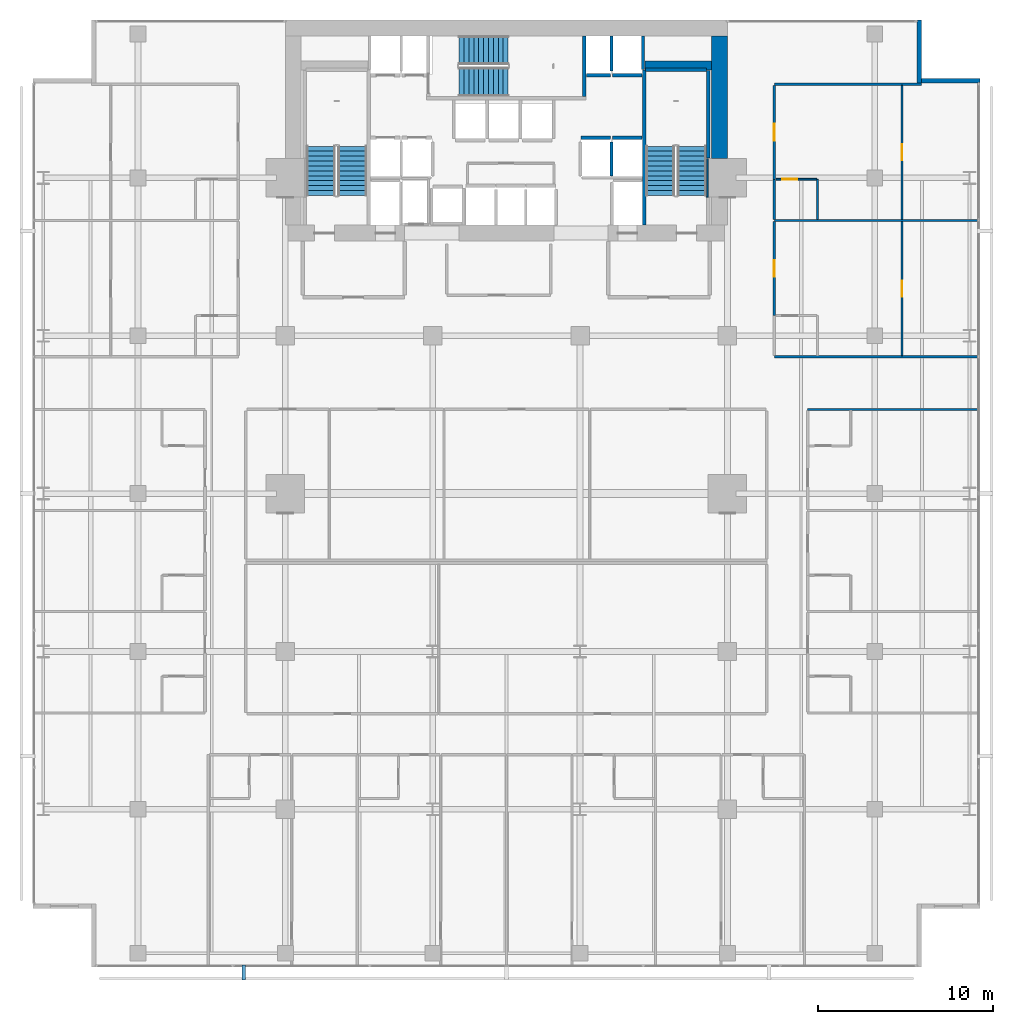
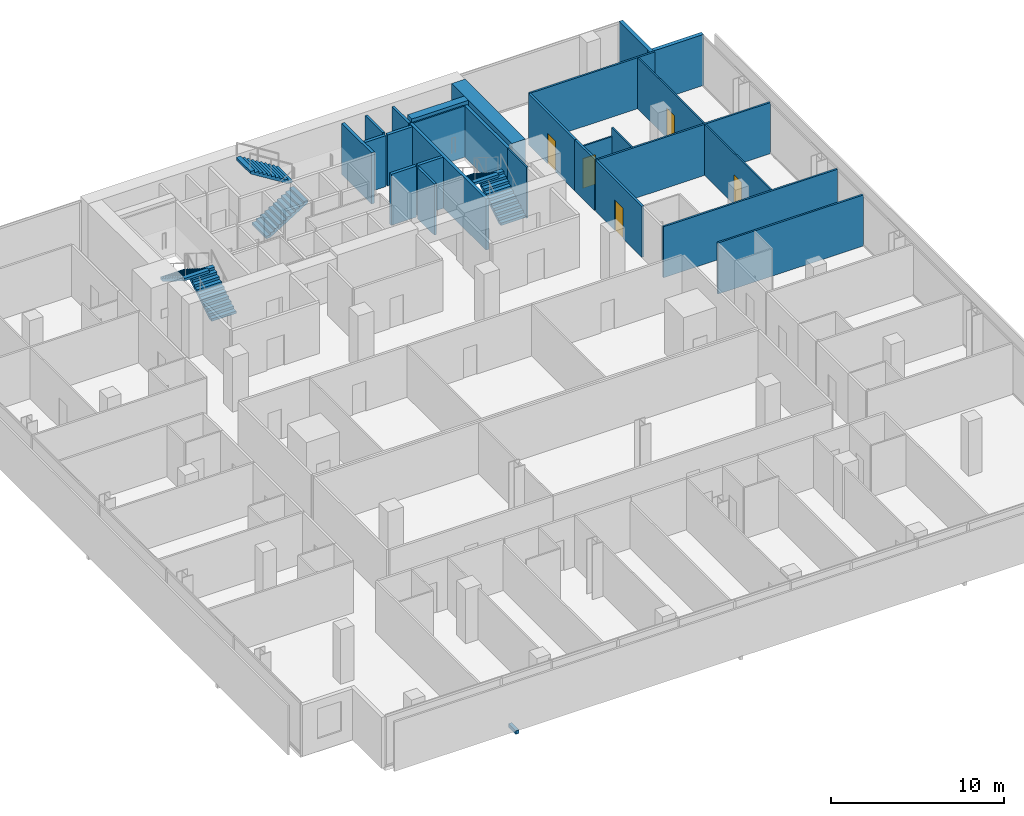
# One storey, part 37 of 40: 27 walls, 6 stair flights, 5 doors, 1 discrete accessory, 5 openings, 3 elements without a shape of their own.
"""IFC4 building model written with IfcOpenShell, lengths in metres."""

from ifc_helpers import new_model, si_unit, direction, frame, frame_2d, origin, origin_2d, place, context, subcontext, project, spatial, polyline, rectangle, outline, extrude, material, layer, layer_set, type_object, element, fill, aggregate, save


model = new_model("IFC4")

# Units and contexts
model_context = context("Model", 3, precision=1e-05, world=origin(), true_north=direction((0.0, 1.0)))
body_context = subcontext(model_context, "Body", "Model", "MODEL_VIEW")
ifc_project = project(units=[si_unit("LENGTHUNIT", "METRE"), si_unit("AREAUNIT", "SQUARE_METRE"), si_unit("VOLUMEUNIT", "CUBIC_METRE"), si_unit("PLANEANGLEUNIT", "RADIAN"), si_unit("MASSUNIT", "GRAM", prefix="KILO")], contexts=[model_context])

# Site, building, storey
site_placement = place(None, origin())
site = spatial("IfcSite", under=ifc_project, at=site_placement, CompositionType="ELEMENT")
building_placement = place(site_placement, origin())
building = spatial("IfcBuilding", under=site, at=building_placement, Name="Maruvema Waterfront Hotel and Observation Tower", CompositionType="ELEMENT")
storey_placement = place(building_placement, frame((0.0, 0.0, 88.550048828125)))
storey = spatial("IfcBuildingStorey", under=building, at=storey_placement, Name="L21", CompositionType="ELEMENT", Elevation=88.550048828125)

# Wall, opening, door
ifc_material_1 = material(Name="Twin-stud acoustic gypsum drywall", Category="gypsum")
ifc_layer_1 = layer(ifc_material_1, 0.14990234375, Name="Acoustic Corridor and Suite Demising Wall 150 mm")
ifc_layer_set_1 = layer_set([ifc_layer_1], Name="Twin-stud acoustic gypsum drywall")
wall_type_1 = type_object("IfcWallType", Name="Acoustic Corridor and Suite Demising Wall 150 mm", PredefinedType="PARTITIONING", material=ifc_layer_set_1)
wall_1_placement = place(storey_placement, frame((53.080078125, 37.14990234375, 0.0), z_axis=(0.0, 0.0, 1.0), x_axis=(0.0, 1.0, 0.0)))
wall_1 = element("IfcWall", 1, at=wall_1_placement, inside=storey, type_object=wall_type_1, Name="L21 Room L21-NE1 Corridor Wall 103", PredefinedType="PARTITIONING", context=body_context, shape_type="SweptSolid", body=[
    extrude(rectangle(XDim=5.35888671875, YDim=0.14990234375, at=frame_2d((2.679443359375, 0.0))), origin(), (0.0, 0.0, 1.0), 3.60986328125),
])
opening_1_placement = place(wall_1_placement, frame((2.204345703125, 0.0, 0.0)))
opening_1 = element("IfcOpeningElement", 2, at=opening_1_placement, cuts=wall_1, Name="Opening DR-095", PredefinedType="OPENING", context=body_context, shape_type="SweptSolid", body=[
    extrude(rectangle(XDim=0.949951171875, YDim=2.14990234375, at=frame_2d((0.47509765625, 1.074951171875))), frame((0.0, 0.0849609375, 0.0), z_axis=(0.0, -1.0, 0.0), x_axis=(1.0, 0.0, 0.0)), (0.0, 0.0, 1.0), 0.169921875),
])
ifc_material_2 = material(Name="Acoustic solid-core hardwood timber leaf", Category="wood")
door_type_1 = type_object("IfcDoorType", Name="Guestroom Entrance Fire Door 950x2150 mm", OperationType="NOTDEFINED", PredefinedType="DOOR", material=ifc_material_2)
door_1_placement = place(opening_1_placement, frame((0.949951171875, 0.0, 0.0), z_axis=(0.0, 0.0, 1.0), x_axis=(-1.0, 0.0, 0.0)))
door_1 = element("IfcDoor", 3, at=door_1_placement, inside=storey, type_object=door_type_1, Name="L21 Room L21-NE1 Entrance Door", OperationType="SINGLE_SWING_LEFT", OverallHeight=2.14990234375, OverallWidth=0.949951171875, PredefinedType="DOOR", context=body_context, shape_type="SweptSolid", body=[
    extrude(rectangle(XDim=0.949951171875, YDim=2.14990234375, at=frame_2d((0.47509765625, 1.074951171875))), frame((0.0, 0.02490234375, 0.0), z_axis=(0.0, -1.0, 0.0), x_axis=(1.0, 0.0, 0.0)), (0.0, 0.0, 1.0), 0.050048828125),
])
fill(opening_1, door_1)

# Wall
wall_2_placement = place(storey_placement, frame((53.080078125, 42.628662109375, 0.0), z_axis=(0.0, 0.0, 1.0), x_axis=(0.0, 1.0, 0.0)))
element("IfcWall", 4, at=wall_2_placement, inside=storey, type_object=wall_type_1, Name="L21 Bath L21-NE2 Wall 114", PredefinedType="PARTITIONING", context=body_context, shape_type="SweptSolid", body=[
    extrude(rectangle(XDim=2.2900390625, YDim=0.14990234375, at=frame_2d((1.14501953125, 0.0))), origin(), (0.0, 0.0, 1.0), 3.60986328125),
])

# Wall, opening, door
wall_3_placement = place(storey_placement, frame((53.080078125, 44.918701171875, 0.0), z_axis=(0.0, 0.0, 1.0), x_axis=(0.0, 1.0, 0.0)))
wall_3 = element("IfcWall", 5, at=wall_3_placement, inside=storey, type_object=wall_type_1, Name="L21 Room L21-NE2 Corridor Wall 115", PredefinedType="PARTITIONING", context=body_context, shape_type="SweptSolid", body=[
    extrude(rectangle(XDim=5.35888671875, YDim=0.14990234375, at=frame_2d((2.679443359375, 0.0))), origin(), (0.0, 0.0, 1.0), 3.60986328125),
])
opening_2_placement = place(wall_3_placement, frame((2.204345703125, 0.0, 0.0)))
opening_2 = element("IfcOpeningElement", 6, at=opening_2_placement, cuts=wall_3, Name="Opening DR-095", PredefinedType="OPENING", context=body_context, shape_type="SweptSolid", body=[
    extrude(rectangle(XDim=0.949951171875, YDim=2.14990234375, at=frame_2d((0.47509765625, 1.074951171875))), frame((0.0, 0.0849609375, 0.0), z_axis=(0.0, -1.0, 0.0), x_axis=(1.0, 0.0, 0.0)), (0.0, 0.0, 1.0), 0.169921875),
])
door_2_placement = place(opening_2_placement, frame((0.949951171875, 0.0, 0.0), z_axis=(0.0, 0.0, 1.0), x_axis=(-1.0, 0.0, 0.0)))
door_2 = element("IfcDoor", 7, at=door_2_placement, inside=storey, type_object=door_type_1, Name="L21 Room L21-NE2 Entrance Door", OperationType="SINGLE_SWING_LEFT", OverallHeight=2.14990234375, OverallWidth=0.949951171875, PredefinedType="DOOR", context=body_context, shape_type="SweptSolid", body=[
    extrude(rectangle(XDim=0.949951171875, YDim=2.14990234375, at=frame_2d((0.47509765625, 1.074951171875))), frame((0.0, 0.02490234375, 0.0), z_axis=(0.0, -1.0, 0.0), x_axis=(1.0, 0.0, 0.0)), (0.0, 0.0, 1.0), 0.050048828125),
])
fill(opening_2, door_2)

# Walls
ifc_material_3 = material(Name="Precast concrete C45/55", Category="concrete")
ifc_layer_2 = layer(ifc_material_3, 0.199951171875, Name="Core Shaft and Stairwell Enclosure Wall 200 mm")
ifc_layer_set_2 = layer_set([ifc_layer_2], Name="Precast concrete C45/55")
wall_type_2 = type_object("IfcWallType", Name="Core Shaft and Stairwell Enclosure Wall 200 mm", PredefinedType="SOLIDWALL", material=ifc_layer_set_2)
wall_4_placement = place(storey_placement, frame((42.25, 49.64990234375, 0.0), z_axis=(0.0, 0.0, 1.0), x_axis=(0.0, 1.0, 0.0)))
element("IfcWall", 8, at=wall_4_placement, inside=storey, type_object=wall_type_2, Name="L21 Stairwell ST-02 Shaft Wall", PredefinedType="SOLIDWALL", context=body_context, shape_type="SweptSolid", body=[
    extrude(rectangle(XDim=3.4501953125, YDim=0.199951171875, at=frame_2d((1.72509765625, 0.0))), origin(), (0.0, 0.0, 1.0), 3.60986328125),
])
wall_5_placement = place(storey_placement, frame((45.64990234375, 42.300048828125, 0.0), z_axis=(0.0, 0.0, 1.0), x_axis=(0.0, 1.0, 0.0)))
element("IfcWall", 9, at=wall_5_placement, inside=storey, type_object=wall_type_2, Name="L21 Stairwell ST-03 West Shaft Wall", PredefinedType="SOLIDWALL", context=body_context, shape_type="SweptSolid", body=[
    extrude(rectangle(XDim=8.849853515625, YDim=0.199951171875, at=frame_2d((4.4248046875, 0.0))), origin(), (0.0, 0.0, 1.0), 3.60986328125),
])
wall_6_placement = place(storey_placement, frame((49.300048828125, 46.1201171875, 0.0), z_axis=(0.0, 0.0, 1.0), x_axis=(0.0, 1.0, 0.0)))
element("IfcWall", 10, at=wall_6_placement, inside=storey, type_object=wall_type_2, Name="L21 Stairwell ST-03 Shaft Lining Wall", PredefinedType="SOLIDWALL", context=body_context, shape_type="SweptSolid", body=[
    extrude(rectangle(XDim=5.0, YDim=0.199951171875, at=frame_2d((2.5, 0.0))), origin(), (0.0, 0.0, 1.0), 3.60986328125),
])
wall_7_placement = place(storey_placement, frame((45.719970703125, 51.14990234375, 0.0), z_axis=(0.0, 0.0, 1.0), x_axis=(1.0, 0.0, 0.0)))
element("IfcWall", 11, at=wall_7_placement, inside=storey, type_object=wall_type_2, Name="L21 Stairwell ST-03 Shaft Lining Wall", PredefinedType="SOLIDWALL", context=body_context, shape_type="SweptSolid", body=[
    extrude(rectangle(XDim=3.5, YDim=0.199951171875, at=frame_2d((1.75, 0.0))), origin(), (0.0, 0.0, 1.0), 3.60986328125),
])
for number, where, z_axis, x_axis, name in (
    (12, (42.06005859375, 47.300048828125, 0.0), (0.0, 0.0, 1.0), (1.0, 0.0, 0.0), "L21 Lift LF-05 Hoistway Front Wall"),
    (13, (43.860107421875, 47.300048828125, 0.0), (0.0, 0.0, 1.0), (1.0, 0.0, 0.0), "L21 Lift LF-06 Hoistway Front Wall"),
):
    element("IfcWall", number, at=place(storey_placement, frame(where, z_axis=z_axis, x_axis=x_axis)), inside=storey, type_object=wall_type_2, Name=name, PredefinedType="SOLIDWALL", context=body_context, shape_type="SweptSolid", body=[
        extrude(rectangle(XDim=1.679931640625, YDim=0.199951171875, at=frame_2d((0.83984375, 0.0))), origin(), (0.0, 0.0, 1.0), 3.60986328125),
    ])
wall_8_placement = place(storey_placement, frame((42.360107421875, 50.85009765625, 0.0), z_axis=(0.0, 0.0, 1.0), x_axis=(1.0, 0.0, 0.0)))
element("IfcWall", 14, at=wall_8_placement, inside=storey, type_object=wall_type_2, Name="L21 Lift LF-07 Hoistway Front Wall", PredefinedType="SOLIDWALL", context=body_context, shape_type="SweptSolid", body=[
    extrude(rectangle(XDim=1.3798828125, YDim=0.199951171875, at=frame_2d((0.68994140625, 0.0))), origin(), (0.0, 0.0, 1.0), 3.60986328125),
])
wall_9_placement = place(storey_placement, frame((43.860107421875, 50.85009765625, 0.0), z_axis=(0.0, 0.0, 1.0), x_axis=(1.0, 0.0, 0.0)))
element("IfcWall", 15, at=wall_9_placement, inside=storey, type_object=wall_type_2, Name="L21 Lift LF-08 Hoistway Front Wall", PredefinedType="SOLIDWALL", context=body_context, shape_type="SweptSolid", body=[
    extrude(rectangle(XDim=1.679931640625, YDim=0.199951171875, at=frame_2d((0.83984375, 0.0))), origin(), (0.0, 0.0, 1.0), 3.60986328125),
])
ifc_material_4 = material(Name="Concrete C70/85", Category="concrete")
ifc_layer_3 = layer(ifc_material_4, 0.5, Name="Core Shear Wall 500 mm")
ifc_layer_set_3 = layer_set([ifc_layer_3], Name="Concrete C70/85")
wall_type_3 = type_object("IfcWallType", Name="Core Shear Wall 500 mm", PredefinedType="SHEAR", material=ifc_layer_set_3)
wall_10_placement = place(storey_placement, frame((45.699951171875, 51.39990234375, 0.0), z_axis=(0.0, 0.0, 1.0), x_axis=(1.0, 0.0, 0.0)))
element("IfcWall", 16, at=wall_10_placement, inside=storey, type_object=wall_type_3, Name="L21 Internal Core Shear Wall NE 500 mm", PredefinedType="SHEAR", context=body_context, shape_type="SweptSolid", body=[
    extrude(rectangle(XDim=3.800048828125, YDim=0.5, at=frame_2d((1.89990234375, 0.0))), origin(), (0.0, 0.0, 1.0), 3.849853515625),
])
ifc_material_5 = material(Name="Concrete C80/95", Category="concrete")
ifc_layer_4 = layer(ifc_material_5, 0.89990234375, Name="Core Shear Wall 900 mm")
ifc_layer_set_4 = layer_set([ifc_layer_4], Name="Concrete C80/95")
wall_type_4 = type_object("IfcWallType", Name="Core Shear Wall 900 mm", PredefinedType="SHEAR", material=ifc_layer_set_4)
wall_11_placement = place(storey_placement, frame((49.949951171875, 46.10009765625, 0.0), z_axis=(0.0, 0.0, 1.0), x_axis=(0.0, 1.0, 0.0)))
element("IfcWall", 17, at=wall_11_placement, inside=storey, type_object=wall_type_4, Name="L21 East-North Core Shear Wall", PredefinedType="SHEAR", context=body_context, shape_type="SweptSolid", body=[
    extrude(rectangle(XDim=7.0, YDim=0.89990234375, at=frame_2d((3.5, 0.0))), origin(), (0.0, 0.0, 1.0), 3.849853515625),
])

# Wall, opening, door
ifc_material_6 = material(Name="Moisture-resistant cement-board drywall", Category="gypsum")
ifc_layer_5 = layer(ifc_material_6, 0.10009765625, Name="En-Suite Moisture-Resistant Partition 100 mm")
ifc_layer_set_5 = layer_set([ifc_layer_5], Name="Moisture-resistant cement-board drywall")
wall_type_5 = type_object("IfcWallType", Name="En-Suite Moisture-Resistant Partition 100 mm", PredefinedType="PARTITIONING", material=ifc_layer_set_5)
wall_12_placement = place(storey_placement, frame((60.350341796875, 34.860107421875, 0.0), z_axis=(0.0, 0.0, 1.0), x_axis=(0.0, 1.0, 0.0)))
wall_12 = element("IfcWall", 18, at=wall_12_placement, inside=storey, type_object=wall_type_5, Name="L21 Suite L21-NE1 Split 106", PredefinedType="PARTITIONING", context=body_context, shape_type="SweptSolid", body=[
    extrude(rectangle(XDim=7.648681640625, YDim=0.10009765625, at=frame_2d((3.82421875, 0.0))), origin(), (0.0, 0.0, 1.0), 3.60986328125),
])
opening_3_placement = place(wall_12_placement, frame((3.374267578125, 0.0, 0.0)))
opening_3 = element("IfcOpeningElement", 19, at=opening_3_placement, cuts=wall_12, Name="Opening DR-090", PredefinedType="OPENING", context=body_context, shape_type="SweptSolid", body=[
    extrude(rectangle(XDim=0.89990234375, YDim=2.10009765625, at=frame_2d((0.449951171875, 1.050048828125))), frame((0.0, 0.06005859375, 0.0), z_axis=(0.0, -1.0, 0.0), x_axis=(1.0, 0.0, 0.0)), (0.0, 0.0, 1.0), 0.1201171875),
])
ifc_material_7 = material(Name="Solid-core lacquered timber leaf", Category="wood")
door_type_2 = type_object("IfcDoorType", Name="Accessible Toilet and Room Door 900x2100 mm", OperationType="NOTDEFINED", PredefinedType="DOOR", material=ifc_material_7)
door_3_placement = place(opening_3_placement, frame((0.89990234375, 0.0, 0.0), z_axis=(0.0, 0.0, 1.0), x_axis=(-1.0, 0.0, 0.0)))
door_3 = element("IfcDoor", 20, at=door_3_placement, inside=storey, type_object=door_type_2, Name="L21 Suite L21-NE1 Bedroom Door", OperationType="SINGLE_SWING_RIGHT", OverallHeight=2.10009765625, OverallWidth=0.89990234375, PredefinedType="DOOR", context=body_context, shape_type="SweptSolid", body=[
    extrude(rectangle(XDim=0.89990234375, YDim=2.10009765625, at=frame_2d((0.449951171875, 1.050048828125))), frame((0.0, 0.02490234375, 0.0), z_axis=(0.0, -1.0, 0.0), x_axis=(1.0, 0.0, 0.0)), (0.0, 0.0, 1.0), 0.050048828125),
])
fill(opening_3, door_3)

# Wall
wall_13_placement = place(storey_placement, frame((55.530029296875, 42.628662109375, 0.0), z_axis=(0.0, 0.0, 1.0), x_axis=(0.0, 1.0, 0.0)))
element("IfcWall", 21, at=wall_13_placement, inside=storey, type_object=wall_type_5, Name="L21 En-Suite L21-NE2 E 116", PredefinedType="PARTITIONING", context=body_context, shape_type="SweptSolid", body=[
    extrude(rectangle(XDim=2.2900390625, YDim=0.10009765625, at=frame_2d((1.14501953125, 0.0))), origin(), (0.0, 0.0, 1.0), 3.60986328125),
])

# Wall, opening, door
wall_14_placement = place(storey_placement, frame((53.179931640625, 44.918701171875, 0.0), z_axis=(0.0, 0.0, 1.0), x_axis=(1.0, 0.0, 0.0)))
wall_14 = element("IfcWall", 22, at=wall_14_placement, inside=storey, type_object=wall_type_5, Name="L21 En-Suite L21-NE2 N 117", PredefinedType="PARTITIONING", context=body_context, shape_type="SweptSolid", body=[
    extrude(rectangle(XDim=2.300048828125, YDim=0.10009765625, at=frame_2d((1.14990234375, 0.0))), origin(), (0.0, 0.0, 1.0), 2.9990234375),
])
opening_4_placement = place(wall_14_placement, frame((0.35009765625, 0.0, 0.0)))
opening_4 = element("IfcOpeningElement", 23, at=opening_4_placement, cuts=wall_14, Name="Opening DR-085", PredefinedType="OPENING", context=body_context, shape_type="SweptSolid", body=[
    extrude(rectangle(XDim=0.85009765625, YDim=2.10009765625, at=frame_2d((0.425048828125, 1.050048828125))), frame((0.0, 0.06005859375, 0.0), z_axis=(0.0, -1.0, 0.0), x_axis=(1.0, 0.0, 0.0)), (0.0, 0.0, 1.0), 0.1201171875),
])
ifc_material_8 = material(Name="Moisture-resistant solid timber leaf", Category="wood")
door_type_3 = type_object("IfcDoorType", Name="En-Suite Bathroom Door 850x2100 mm", OperationType="NOTDEFINED", PredefinedType="DOOR", material=ifc_material_8)
door_4_placement = place(opening_4_placement, origin())
door_4 = element("IfcDoor", 24, at=door_4_placement, inside=storey, type_object=door_type_3, Name="L21 En-Suite L21-NE2 Door", OperationType="SINGLE_SWING_RIGHT", OverallHeight=2.10009765625, OverallWidth=0.85009765625, PredefinedType="DOOR", context=body_context, shape_type="SweptSolid", body=[
    extrude(rectangle(XDim=0.85009765625, YDim=2.10009765625, at=frame_2d((0.425048828125, 1.050048828125))), frame((0.0, 0.02490234375, 0.0), z_axis=(0.0, -1.0, 0.0), x_axis=(1.0, 0.0, 0.0)), (0.0, 0.0, 1.0), 0.050048828125),
])
fill(opening_4, door_4)

wall_15_placement = place(storey_placement, frame((60.350341796875, 42.628662109375, 0.0), z_axis=(0.0, 0.0, 1.0), x_axis=(0.0, 1.0, 0.0)))
wall_15 = element("IfcWall", 25, at=wall_15_placement, inside=storey, type_object=wall_type_5, Name="L21 Suite L21-NE2 Split 118", PredefinedType="PARTITIONING", context=body_context, shape_type="SweptSolid", body=[
    extrude(rectangle(XDim=7.64892578125, YDim=0.10009765625, at=frame_2d((3.824462890625, 0.0))), origin(), (0.0, 0.0, 1.0), 3.60986328125),
])
opening_5_placement = place(wall_15_placement, frame((3.37451171875, 0.0, 0.0)))
opening_5 = element("IfcOpeningElement", 26, at=opening_5_placement, cuts=wall_15, Name="Opening DR-090", PredefinedType="OPENING", context=body_context, shape_type="SweptSolid", body=[
    extrude(rectangle(XDim=0.89990234375, YDim=2.10009765625, at=frame_2d((0.449951171875, 1.050048828125))), frame((0.0, 0.06005859375, 0.0), z_axis=(0.0, -1.0, 0.0), x_axis=(1.0, 0.0, 0.0)), (0.0, 0.0, 1.0), 0.1201171875),
])
door_5_placement = place(opening_5_placement, frame((0.89990234375, 0.0, 0.0), z_axis=(0.0, 0.0, 1.0), x_axis=(-1.0, 0.0, 0.0)))
door_5 = element("IfcDoor", 27, at=door_5_placement, inside=storey, type_object=door_type_2, Name="L21 Suite L21-NE2 Bedroom Door", OperationType="SINGLE_SWING_RIGHT", OverallHeight=2.10009765625, OverallWidth=0.89990234375, PredefinedType="DOOR", context=body_context, shape_type="SweptSolid", body=[
    extrude(rectangle(XDim=0.89990234375, YDim=2.10009765625, at=frame_2d((0.449951171875, 1.050048828125))), frame((0.0, 0.02490234375, 0.0), z_axis=(0.0, -1.0, 0.0), x_axis=(1.0, 0.0, 0.0)), (0.0, 0.0, 1.0), 0.050048828125),
])
fill(opening_5, door_5)

# Walls
ifc_material_9 = material(Name="Precast concrete C45/55 with honed Pernambuco granite facing", Category="masonry")
ifc_layer_6 = layer(ifc_material_9, 0.260009765625, Name="Exterior Granite Clad Spandrel and Pier Wall 260 mm")
ifc_layer_set_6 = layer_set([ifc_layer_6], Name="Precast concrete C45/55 with honed Pernambuco granite facing")
wall_type_6 = type_object("IfcWallType", Name="Exterior Granite Clad Spandrel and Pier Wall 260 mm", PredefinedType="SOLIDWALL", material=ifc_layer_set_6)
for number, where, z_axis, x_axis, name in (
    (28, (61.330078125, 54.0, 0.0), (0.0, 0.0, 1.0), (0.0, -1.0, 0.0), "L21 Corner Notch Granite Pier Wall NE1"),
    (29, (61.199951171875, 50.530029296875, 0.0), (0.0, 0.0, 1.0), (1.0, 0.0, 0.0), "L21 Corner Notch Granite Pier Wall NE2"),
):
    element("IfcWall", number, at=place(storey_placement, frame(where, z_axis=z_axis, x_axis=x_axis)), inside=storey, type_object=wall_type_6, Name=name, PredefinedType="SOLIDWALL", context=body_context, shape_type="SweptSolid", body=[
        extrude(rectangle(XDim=3.60009765625, YDim=0.260009765625, at=frame_2d((1.800048828125, 0.0))), origin(), (0.0, 0.0, 1.0), 3.60986328125),
    ])
ifc_material_10 = material(Name="Acoustic gypsum plasterboard drywall", Category="gypsum")
ifc_layer_7 = layer(ifc_material_10, 0.125, Name="Guestroom Acoustic Demising Wall 125 mm")
ifc_layer_set_7 = layer_set([ifc_layer_7], Name="Acoustic gypsum plasterboard drywall")
wall_type_7 = type_object("IfcWallType", Name="Guestroom Acoustic Demising Wall 125 mm", PredefinedType="PARTITIONING", material=ifc_layer_set_7)
wall_16_placement = place(storey_placement, frame((54.97998046875, 31.800048828125, 0.0), z_axis=(0.0, 0.0, 1.0), x_axis=(1.0, 0.0, 0.0)))
element("IfcWall", 30, at=wall_16_placement, inside=storey, type_object=wall_type_7, Name="L21 E Top End 064", PredefinedType="PARTITIONING", context=body_context, shape_type="SweptSolid", body=[
    extrude(rectangle(XDim=9.719970703125, YDim=0.125, at=frame_2d((4.85986328125, 0.0))), origin(), (0.0, 0.0, 1.0), 3.60986328125),
])
wall_17_placement = place(storey_placement, frame((53.080078125, 34.800048828125, 0.0), z_axis=(0.0, 0.0, 1.0), x_axis=(1.0, 0.0, 0.0)))
element("IfcWall", 31, at=wall_17_placement, inside=storey, type_object=wall_type_7, Name="L21 NE Bot End 094", PredefinedType="PARTITIONING", context=body_context, shape_type="SweptSolid", body=[
    extrude(rectangle(XDim=11.619873046875, YDim=0.125, at=frame_2d((5.81005859375, 0.0))), origin(), (0.0, 0.0, 1.0), 3.60986328125),
])
wall_18_placement = place(storey_placement, frame((53.080078125, 50.33740234375, 0.0), z_axis=(0.0, 0.0, 1.0), x_axis=(1.0, 0.0, 0.0)))
element("IfcWall", 32, at=wall_18_placement, inside=storey, type_object=wall_type_7, Name="L21 NE Top End 096", PredefinedType="PARTITIONING", context=body_context, shape_type="SweptSolid", body=[
    extrude(rectangle(XDim=8.3798828125, YDim=0.125, at=frame_2d((4.18994140625, 0.0))), origin(), (0.0, 0.0, 1.0), 3.60986328125),
])
wall_19_placement = place(storey_placement, frame((53.080078125, 42.568603515625, 0.0), z_axis=(0.0, 0.0, 1.0), x_axis=(1.0, 0.0, 0.0)))
element("IfcWall", 33, at=wall_19_placement, inside=storey, type_object=wall_type_7, Name="L21 NE Demising 2 108", PredefinedType="PARTITIONING", context=body_context, shape_type="SweptSolid", body=[
    extrude(rectangle(XDim=11.619873046875, YDim=0.125, at=frame_2d((5.81005859375, 0.0))), origin(), (0.0, 0.0, 1.0), 3.60986328125),
])
ifc_material_11 = material(Name="Precast concrete C45/55", Category="concrete")
ifc_layer_8 = layer(ifc_material_11, 0.159912109375, Name="Lift Hoistway Divider Wall 160 mm")
ifc_layer_set_8 = layer_set([ifc_layer_8], Name="Precast concrete C45/55")
wall_type_8 = type_object("IfcWallType", Name="Lift Hoistway Divider Wall 160 mm", PredefinedType="SOLIDWALL", material=ifc_layer_set_8)
wall_20_placement = place(storey_placement, frame((43.800048828125, 45.10009765625, 0.0), z_axis=(0.0, 0.0, 1.0), x_axis=(0.0, 1.0, 0.0)))
element("IfcWall", 34, at=wall_20_placement, inside=storey, type_object=wall_type_8, Name="L21 Hoistway Divider Wall", PredefinedType="SOLIDWALL", context=body_context, shape_type="SweptSolid", body=[
    extrude(rectangle(XDim=1.949951171875, YDim=0.159912109375, at=frame_2d((0.97509765625, 0.0))), origin(), (0.0, 0.0, 1.0), 3.60986328125),
])
wall_21_placement = place(storey_placement, frame((45.590087890625, 51.179931640625, 0.0), z_axis=(0.0, 0.0, 1.0), x_axis=(0.0, 1.0, 0.0)))
element("IfcWall", 35, at=wall_21_placement, inside=storey, type_object=wall_type_8, Name="L21 Hoistway Divider Wall", PredefinedType="SOLIDWALL", context=body_context, shape_type="SweptSolid", body=[
    extrude(rectangle(XDim=1.920166015625, YDim=0.159912109375, at=frame_2d((0.9599609375, 0.0))), origin(), (0.0, 0.0, 1.0), 3.60986328125),
])
wall_22_placement = place(storey_placement, frame((43.800048828125, 51.10009765625, 0.0), z_axis=(0.0, 0.0, 1.0), x_axis=(0.0, 1.0, 0.0)))
element("IfcWall", 36, at=wall_22_placement, inside=storey, type_object=wall_type_8, Name="L21 Hoistway Divider Wall", PredefinedType="SOLIDWALL", context=body_context, shape_type="SweptSolid", body=[
    extrude(rectangle(XDim=2.0, YDim=0.159912109375, at=frame_2d((1.0, 0.0))), origin(), (0.0, 0.0, 1.0), 3.60986328125),
])
ifc_material_12 = material(Name="Precast concrete C45/55", Category="concrete")
ifc_layer_9 = layer(ifc_material_12, 0.10009765625, Name="Stairwell Stringer Cheek Wall 100 mm")
ifc_layer_set_9 = layer_set([ifc_layer_9], Name="Precast concrete C45/55")
wall_type_9 = type_object("IfcWallType", Name="Stairwell Stringer Cheek Wall 100 mm", PredefinedType="SOLIDWALL", material=ifc_layer_set_9)
wall_23_placement = place(storey_placement, frame((49.248046875, 43.89990234375, 0.0), z_axis=(0.0, 0.0, 1.0), x_axis=(0.0, 1.0, 0.0)))
element("IfcWall", 37, at=wall_23_placement, inside=storey, type_object=wall_type_9, Name="L21 Stairwell ST-03 Mega-Column Cheek Wall", PredefinedType="SOLIDWALL", context=body_context, shape_type="SweptSolid", body=[
    extrude(rectangle(XDim=2.2001953125, YDim=0.10009765625, at=frame_2d((1.10009765625, 0.0))), origin(), (0.0, 0.0, 1.0), 3.60986328125),
])

# Stair, stair flights
ifc_material_13 = material(Name="Concrete C50/60", Category="concrete")
stair_type = type_object("IfcStairType", Name="Dogleg Exit Stair 1650 mm (22R x 175.0 mm)", PredefinedType="HALF_TURN_STAIR", material=ifc_material_13)
stair_1_placement = place(storey_placement, origin())
stair_1 = element("IfcStair", 38, at=stair_1_placement, inside=storey, type_object=stair_type, Name="L21 ST-01", PredefinedType="HALF_TURN_STAIR")
ifc_material_14 = material(Name="Concrete C50/60", Category="concrete")
stair_flight_type = type_object("IfcStairFlightType", Name="Reinforced Concrete Stair Flight 1650 mm (11R x 175.0 mm)", PredefinedType="STRAIGHT", material=ifc_material_14)
stair_flight_1_placement = place(storey_placement, frame((29.02490234375, 44.0, 0.0), z_axis=(0.0, 0.0, 1.0), x_axis=(0.0, 1.0, 0.0)))
stair_flight_1 = element("IfcStairFlight", 39, at=stair_flight_1_placement, type_object=stair_flight_type, Name="ST-01 flight 1", NumberOfRisers=11, NumberOfTreads=10, PredefinedType="STRAIGHT", RiserHeight=0.175, TreadLength=0.28, context=body_context, shape_type="SweptSolid", body=[
    extrude(outline(polyline([(0.0, 0.0), (0.0, 0.175048828125), (0.280029296875, 0.175048828125), (0.280029296875, 0.35009765625), (0.56005859375, 0.35009765625), (0.56005859375, 0.52490234375), (0.840087890625, 0.52490234375), (0.840087890625, 0.699951171875), (1.1201171875, 0.699951171875), (1.1201171875, 0.875), (1.39990234375, 0.875), (1.39990234375, 1.050048828125), (1.679931640625, 1.050048828125), (1.679931640625, 1.22509765625), (1.9599609375, 1.22509765625), (1.9599609375, 1.39990234375), (2.239990234375, 1.39990234375), (2.239990234375, 1.574951171875), (2.52001953125, 1.574951171875), (2.52001953125, 1.75), (2.800048828125, 1.75), (2.800048828125, 1.925048828125), (2.800048828125, 1.5732421875), (0.28271484375, 0.0), (0.0, 0.0)])), frame((0.0, 0.824951171875, 0.0), z_axis=(0.0, -1.0, 0.0), x_axis=(1.0, 0.0, 0.0)), (0.0, 0.0, 1.0), 1.64990234375),
])
stair_flight_2_placement = place(storey_placement, frame((27.22509765625, 46.800048828125, 1.925048828125), z_axis=(0.0, 0.0, 1.0), x_axis=(0.0, -1.0, 0.0)))
stair_flight_2 = element("IfcStairFlight", 40, at=stair_flight_2_placement, type_object=stair_flight_type, Name="ST-01 flight 2", NumberOfRisers=11, NumberOfTreads=10, PredefinedType="STRAIGHT", RiserHeight=0.175, TreadLength=0.28, context=body_context, shape_type="SweptSolid", body=[
    extrude(outline(polyline([(0.0, 0.0), (0.0, 0.175048828125), (0.280029296875, 0.175048828125), (0.280029296875, 0.35009765625), (0.56005859375, 0.35009765625), (0.56005859375, 0.52490234375), (0.840087890625, 0.52490234375), (0.840087890625, 0.699951171875), (1.1201171875, 0.699951171875), (1.1201171875, 0.875), (1.39990234375, 0.875), (1.39990234375, 1.050048828125), (1.679931640625, 1.050048828125), (1.679931640625, 1.22509765625), (1.9599609375, 1.22509765625), (1.9599609375, 1.39990234375), (2.239990234375, 1.39990234375), (2.239990234375, 1.574951171875), (2.52001953125, 1.574951171875), (2.52001953125, 1.75), (2.800048828125, 1.75), (2.800048828125, 1.925048828125), (2.800048828125, 1.5732421875), (0.28271484375, 0.0), (0.0, 0.0)])), frame((0.0, 0.824951171875, 0.0), z_axis=(0.0, -1.0, 0.0), x_axis=(1.0, 0.0, 0.0)), (0.0, 0.0, 1.0), 1.64990234375),
])
aggregate(stair_1, [stair_flight_1, stair_flight_2])

stair_2_placement = place(storey_placement, origin())
stair_2 = element("IfcStair", 41, at=stair_2_placement, inside=storey, type_object=stair_type, Name="L21 ST-02", PredefinedType="HALF_TURN_STAIR")
stair_flight_3_placement = place(storey_placement, frame((35.10009765625, 50.47509765625, 0.0), z_axis=(0.0, 0.0, 1.0), x_axis=(1.0, 0.0, 0.0)))
stair_flight_3 = element("IfcStairFlight", 42, at=stair_flight_3_placement, type_object=stair_flight_type, Name="ST-02 flight 1", NumberOfRisers=11, NumberOfTreads=10, PredefinedType="STRAIGHT", RiserHeight=0.175, TreadLength=0.28, context=body_context, shape_type="SweptSolid", body=[
    extrude(outline(polyline([(0.0, 0.0), (0.0, 0.175048828125), (0.280029296875, 0.175048828125), (0.280029296875, 0.35009765625), (0.56005859375, 0.35009765625), (0.56005859375, 0.52490234375), (0.840087890625, 0.52490234375), (0.840087890625, 0.699951171875), (1.1201171875, 0.699951171875), (1.1201171875, 0.875), (1.39990234375, 0.875), (1.39990234375, 1.050048828125), (1.679931640625, 1.050048828125), (1.679931640625, 1.22509765625), (1.9599609375, 1.22509765625), (1.9599609375, 1.39990234375), (2.239990234375, 1.39990234375), (2.239990234375, 1.574951171875), (2.52001953125, 1.574951171875), (2.52001953125, 1.75), (2.800048828125, 1.75), (2.800048828125, 1.925048828125), (2.800048828125, 1.5732421875), (0.28271484375, 0.0), (0.0, 0.0)])), frame((0.0, 0.824951171875, 0.0), z_axis=(0.0, -1.0, 0.0), x_axis=(1.0, 0.0, 0.0)), (0.0, 0.0, 1.0), 1.64990234375),
])
stair_flight_4_placement = place(storey_placement, frame((37.89990234375, 52.27490234375, 1.925048828125), z_axis=(0.0, 0.0, 1.0), x_axis=(-1.0, 0.0, 0.0)))
stair_flight_4 = element("IfcStairFlight", 43, at=stair_flight_4_placement, type_object=stair_flight_type, Name="ST-02 flight 2", NumberOfRisers=11, NumberOfTreads=10, PredefinedType="STRAIGHT", RiserHeight=0.175, TreadLength=0.28, context=body_context, shape_type="SweptSolid", body=[
    extrude(outline(polyline([(0.0, 0.0), (0.0, 0.175048828125), (0.280029296875, 0.175048828125), (0.280029296875, 0.35009765625), (0.56005859375, 0.35009765625), (0.56005859375, 0.52490234375), (0.840087890625, 0.52490234375), (0.840087890625, 0.699951171875), (1.1201171875, 0.699951171875), (1.1201171875, 0.875), (1.39990234375, 0.875), (1.39990234375, 1.050048828125), (1.679931640625, 1.050048828125), (1.679931640625, 1.22509765625), (1.9599609375, 1.22509765625), (1.9599609375, 1.39990234375), (2.239990234375, 1.39990234375), (2.239990234375, 1.574951171875), (2.52001953125, 1.574951171875), (2.52001953125, 1.75), (2.800048828125, 1.75), (2.800048828125, 1.925048828125), (2.800048828125, 1.5732421875), (0.28271484375, 0.0), (0.0, 0.0)])), frame((0.0, 0.824951171875, 0.0), z_axis=(0.0, -1.0, 0.0), x_axis=(1.0, 0.0, 0.0)), (0.0, 0.0, 1.0), 1.64990234375),
])
aggregate(stair_2, [stair_flight_3, stair_flight_4])

stair_3_placement = place(storey_placement, origin())
stair_3 = element("IfcStair", 44, at=stair_3_placement, inside=storey, type_object=stair_type, Name="L21 ST-03", PredefinedType="HALF_TURN_STAIR")
stair_flight_5_placement = place(storey_placement, frame((48.375, 44.0, 0.0), z_axis=(0.0, 0.0, 1.0), x_axis=(0.0, 1.0, 0.0)))
stair_flight_5 = element("IfcStairFlight", 45, at=stair_flight_5_placement, type_object=stair_flight_type, Name="ST-03 flight 1", NumberOfRisers=11, NumberOfTreads=10, PredefinedType="STRAIGHT", RiserHeight=0.175, TreadLength=0.28, context=body_context, shape_type="SweptSolid", body=[
    extrude(outline(polyline([(0.0, 0.0), (0.0, 0.175048828125), (0.280029296875, 0.175048828125), (0.280029296875, 0.35009765625), (0.56005859375, 0.35009765625), (0.56005859375, 0.52490234375), (0.840087890625, 0.52490234375), (0.840087890625, 0.699951171875), (1.1201171875, 0.699951171875), (1.1201171875, 0.875), (1.39990234375, 0.875), (1.39990234375, 1.050048828125), (1.679931640625, 1.050048828125), (1.679931640625, 1.22509765625), (1.9599609375, 1.22509765625), (1.9599609375, 1.39990234375), (2.239990234375, 1.39990234375), (2.239990234375, 1.574951171875), (2.52001953125, 1.574951171875), (2.52001953125, 1.75), (2.800048828125, 1.75), (2.800048828125, 1.925048828125), (2.800048828125, 1.5732421875), (0.28271484375, 0.0), (0.0, 0.0)])), frame((0.0, 0.824951171875, 0.0), z_axis=(0.0, -1.0, 0.0), x_axis=(1.0, 0.0, 0.0)), (0.0, 0.0, 1.0), 1.64990234375),
])
stair_flight_6_placement = place(storey_placement, frame((46.574951171875, 46.800048828125, 1.925048828125), z_axis=(0.0, 0.0, 1.0), x_axis=(0.0, -1.0, 0.0)))
stair_flight_6 = element("IfcStairFlight", 46, at=stair_flight_6_placement, type_object=stair_flight_type, Name="ST-03 flight 2", NumberOfRisers=11, NumberOfTreads=10, PredefinedType="STRAIGHT", RiserHeight=0.175, TreadLength=0.28, context=body_context, shape_type="SweptSolid", body=[
    extrude(outline(polyline([(0.0, 0.0), (0.0, 0.175048828125), (0.280029296875, 0.175048828125), (0.280029296875, 0.35009765625), (0.56005859375, 0.35009765625), (0.56005859375, 0.52490234375), (0.840087890625, 0.52490234375), (0.840087890625, 0.699951171875), (1.1201171875, 0.699951171875), (1.1201171875, 0.875), (1.39990234375, 0.875), (1.39990234375, 1.050048828125), (1.679931640625, 1.050048828125), (1.679931640625, 1.22509765625), (1.9599609375, 1.22509765625), (1.9599609375, 1.39990234375), (2.239990234375, 1.39990234375), (2.239990234375, 1.574951171875), (2.52001953125, 1.574951171875), (2.52001953125, 1.75), (2.800048828125, 1.75), (2.800048828125, 1.925048828125), (2.800048828125, 1.5732421875), (0.28271484375, 0.0), (0.0, 0.0)])), frame((0.0, 0.824951171875, 0.0), z_axis=(0.0, -1.0, 0.0), x_axis=(1.0, 0.0, 0.0)), (0.0, 0.0, 1.0), 1.64990234375),
])
aggregate(stair_3, [stair_flight_5, stair_flight_6])

# Discrete accessory
ifc_material_15 = material(Name="Duplex stainless steel Grade 2205", Category="steel")
discrete_accessory_type = type_object("IfcDiscreteAccessoryType", Name="Double-Skin Cavity Stainless Outrigger Bracket", PredefinedType="BRACKET", material=ifc_material_15)
discrete_accessory_placement = place(storey_placement, frame((22.823974609375, -0.300048828125, -0.14013671875), z_axis=(0.0, 0.0, 1.0), x_axis=(1.0, 0.0, 0.0)))
element("IfcDiscreteAccessory", 47, at=discrete_accessory_placement, inside=storey, type_object=discrete_accessory_type, Name="L21 Outer Skin Support Bracket 1", PredefinedType="BRACKET", context=body_context, shape_type="SweptSolid", body=[
    extrude(rectangle(XDim=0.219970703125, YDim=0.860107421875, at=origin_2d()), origin(), (0.0, 0.0, 1.0), 0.239990234375),
])

save(model, "model.ifc")
